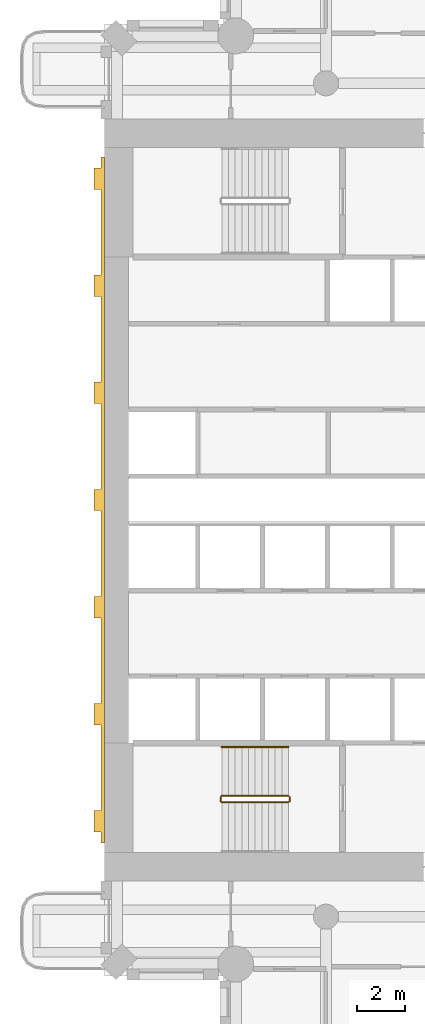
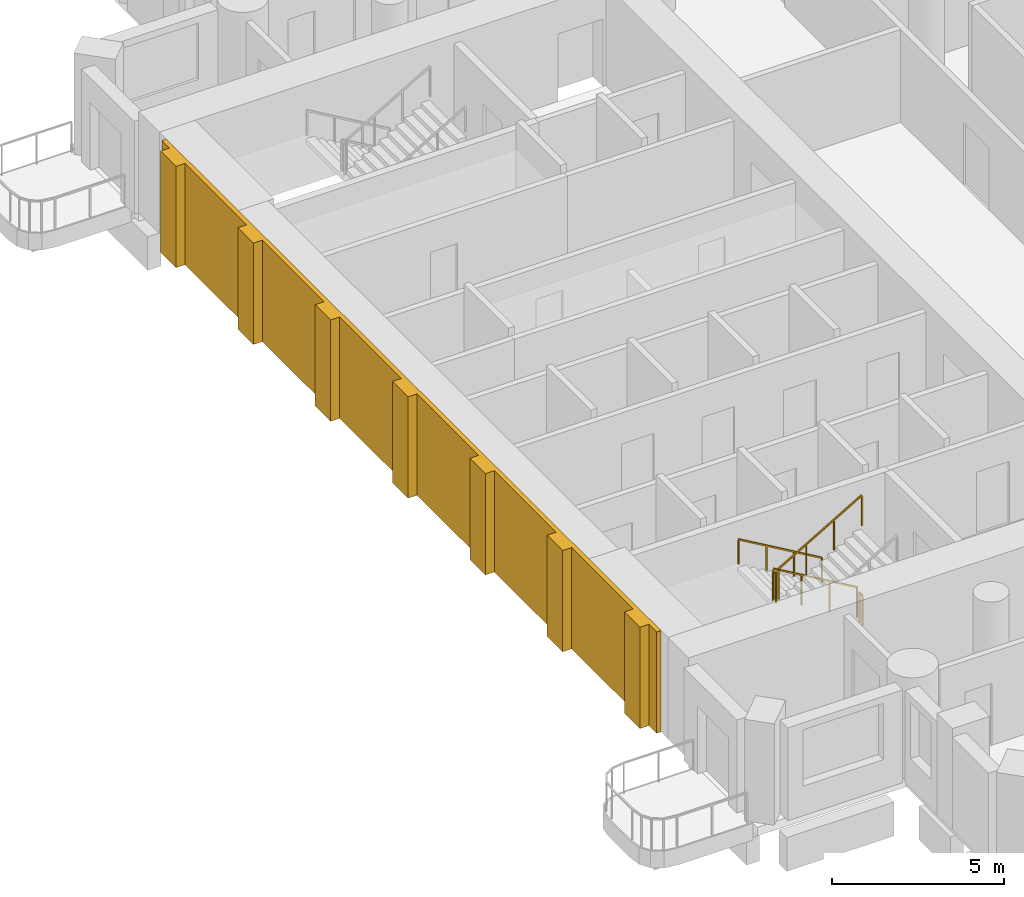
# One storey, part 13 of 19: 5 railings, 1 covering.
"""IFC4 building model written with IfcOpenShell, lengths in metres."""

from ifc_helpers import new_model, si_unit, direction, frame, origin, origin_2d, place, context, subcontext, project, spatial, polyline, rectangle, outline, extrude, material, layer, layer_set, type_object, element, save


model = new_model("IFC4")

# Units and contexts
model_context = context("Model", 3, precision=1e-05, world=origin(), true_north=direction((0.0, 1.0)))
body_context = subcontext(model_context, "Body", "Model", "MODEL_VIEW")
ifc_project = project(units=[si_unit("LENGTHUNIT", "METRE"), si_unit("AREAUNIT", "SQUARE_METRE"), si_unit("VOLUMEUNIT", "CUBIC_METRE"), si_unit("PLANEANGLEUNIT", "RADIAN"), si_unit("MASSUNIT", "GRAM", prefix="KILO")], contexts=[model_context])

# Site, building, storey
site_placement = place(None, origin())
site = spatial("IfcSite", under=ifc_project, at=site_placement, CompositionType="ELEMENT")
building_placement = place(site_placement, origin())
building = spatial("IfcBuilding", under=site, at=building_placement, Name="Cypress Arch Tower", CompositionType="ELEMENT")
storey_placement = place(building_placement, frame((0.0, 0.0, 141.89990234375)))
storey = spatial("IfcBuildingStorey", under=building, at=storey_placement, Name="L31", CompositionType="ELEMENT", Elevation=141.89990234375)

# Railings
ifc_material_1 = material(Name="Black powder-coated steel square bar 48 mm", Category="steel")
railing_type_1 = type_object("IfcRailingType", Name="Stair handrail HR1", PredefinedType="HANDRAIL", material=ifc_material_1)
railing_1_placement = place(storey_placement, frame((-22.27490234375, -10.375, 0.163818359375)))
element("IfcRailing", 1, at=railing_1_placement, inside=storey, type_object=railing_type_1, Name="L31 A stair handrail 1", PredefinedType="HANDRAIL", context=body_context, shape_type="SweptSolid", body=[
    extrude(rectangle(XDim=0.048095703125, YDim=0.048095703125, at=origin_2d()), frame((0.0, 0.0, 0.8759765625), z_axis=(-0.863393664356, 0.0, 0.504530851732), x_axis=(0.0, -1.0, 0.0)), (0.0, 0.0, 1.0), 3.2431640625),
    extrude(rectangle(XDim=0.0419921875, YDim=0.0419921875, at=origin_2d()), origin(), (0.0, 0.0, 1.0), 0.851806640625),
    extrude(rectangle(XDim=0.0419921875, YDim=0.0419921875, at=origin_2d()), frame((-0.933349609375, 0.0, 0.54541015625)), (0.0, 0.0, 1.0), 0.851806640625),
    extrude(rectangle(XDim=0.0419921875, YDim=0.0419921875, at=origin_2d()), frame((-1.86669921875, 0.0, 1.0908203125)), (0.0, 0.0, 1.0), 0.851806640625),
    extrude(rectangle(XDim=0.0419921875, YDim=0.0419921875, at=origin_2d()), frame((-2.800048828125, 0.0, 1.63623046875)), (0.0, 0.0, 1.0), 0.851806640625),
])
ifc_material_2 = material(Name="Black powder-coated steel balusters", Category="steel")
railing_type_2 = type_object("IfcRailingType", Name="Stair well guard G1", PredefinedType="GUARDRAIL", material=ifc_material_2)
railing_2_placement = place(storey_placement, frame((-22.27490234375, -12.425048828125, 0.163818359375)))
element("IfcRailing", 2, at=railing_2_placement, inside=storey, type_object=railing_type_2, Name="L31 A stair guard 1", PredefinedType="GUARDRAIL", context=body_context, shape_type="SweptSolid", body=[
    extrude(rectangle(XDim=0.048095703125, YDim=0.048095703125, at=origin_2d()), frame((0.0, 0.0, 1.076171875), z_axis=(-0.863393664356, 0.0, 0.504530851732), x_axis=(0.0, -1.0, 0.0)), (0.0, 0.0, 1.0), 3.2431640625),
    extrude(rectangle(XDim=0.0419921875, YDim=0.0419921875, at=origin_2d()), origin(), (0.0, 0.0, 1.0), 1.052001953125),
    extrude(rectangle(XDim=0.0419921875, YDim=0.0419921875, at=origin_2d()), frame((-0.933349609375, 0.0, 0.54541015625)), (0.0, 0.0, 1.0), 1.052001953125),
    extrude(rectangle(XDim=0.0419921875, YDim=0.0419921875, at=origin_2d()), frame((-1.86669921875, 0.0, 1.0908203125)), (0.0, 0.0, 1.0), 1.052001953125),
    extrude(rectangle(XDim=0.0419921875, YDim=0.0419921875, at=origin_2d()), frame((-2.800048828125, 0.0, 1.63623046875)), (0.0, 0.0, 1.0), 1.052001953125),
])
railing_3_placement = place(storey_placement, frame((-25.125, -12.47509765625, 1.800048828125)))
element("IfcRailing", 3, at=railing_3_placement, inside=storey, type_object=railing_type_2, Name="L31 A stair guard 2", PredefinedType="GUARDRAIL", context=body_context, shape_type="SweptSolid", body=[
    extrude(rectangle(XDim=0.048095703125, YDim=0.048095703125, at=origin_2d()), frame((0.0, 0.0, 1.076171875), z_axis=(0.0, -1.0, 0.0), x_axis=(1.0, 0.0, 0.0)), (0.0, 0.0, 1.0), 0.1748046875),
    extrude(rectangle(XDim=0.0419921875, YDim=0.0419921875, at=origin_2d()), origin(), (0.0, 0.0, 1.0), 1.052001953125),
    extrude(rectangle(XDim=0.0419921875, YDim=0.0419921875, at=origin_2d()), frame((0.0, -0.1748046875, 0.0)), (0.0, 0.0, 1.0), 1.052001953125),
])
railing_4_placement = place(storey_placement, frame((-25.074951171875, -12.699951171875, 1.963623046875)))
element("IfcRailing", 4, at=railing_4_placement, inside=storey, type_object=railing_type_2, Name="L31 A stair guard 3", PredefinedType="GUARDRAIL", context=body_context, shape_type="SweptSolid", body=[
    extrude(rectangle(XDim=0.048095703125, YDim=0.048095703125, at=origin_2d()), frame((0.0, 0.0, 1.076171875), z_axis=(0.863360870873, 0.0, 0.504586966384), x_axis=(0.0, 1.0, 0.0)), (0.0, 0.0, 1.0), 3.2431640625),
    extrude(rectangle(XDim=0.0419921875, YDim=0.0419921875, at=origin_2d()), origin(), (0.0, 0.0, 1.0), 1.052001953125),
    extrude(rectangle(XDim=0.0419921875, YDim=0.0419921875, at=origin_2d()), frame((0.933349609375, 0.0, 0.54541015625)), (0.0, 0.0, 1.0), 1.052001953125),
    extrude(rectangle(XDim=0.0419921875, YDim=0.0419921875, at=origin_2d()), frame((1.86669921875, 0.0, 1.091064453125)), (0.0, 0.0, 1.0), 1.052001953125),
    extrude(rectangle(XDim=0.0419921875, YDim=0.0419921875, at=origin_2d()), frame((2.800048828125, 0.0, 1.636474609375)), (0.0, 0.0, 1.0), 1.052001953125),
])
railing_5_placement = place(storey_placement, frame((-22.22509765625, -12.47509765625, 0.0)))
element("IfcRailing", 5, at=railing_5_placement, inside=storey, type_object=railing_type_2, Name="L31 A stair guard 4", PredefinedType="GUARDRAIL", context=body_context, shape_type="SweptSolid", body=[
    extrude(rectangle(XDim=0.048095703125, YDim=0.048095703125, at=origin_2d()), frame((0.0, 0.0, 1.076171875), z_axis=(0.0, -1.0, 0.0), x_axis=(1.0, 0.0, 0.0)), (0.0, 0.0, 1.0), 0.1748046875),
    extrude(rectangle(XDim=0.0419921875, YDim=0.0419921875, at=origin_2d()), origin(), (0.0, 0.0, 1.0), 1.052001953125),
    extrude(rectangle(XDim=0.0419921875, YDim=0.0419921875, at=origin_2d()), frame((0.0, -0.1748046875, 0.0)), (0.0, 0.0, 1.0), 1.052001953125),
])

# Covering
ifc_material_3 = material(Name="Brick (red buff blend)", Category="masonry")
ifc_layer = layer(ifc_material_3, 0.449951171875)
ifc_layer_set = layer_set([ifc_layer], Name="West face brick piers WP450")
covering_type = type_object("IfcCoveringType", Name="West face brick piers WP450", PredefinedType="CLADDING", material=ifc_layer_set)
covering_placement = place(storey_placement, origin())
element("IfcCovering", 6, at=covering_placement, inside=storey, type_object=covering_type, Name="West face brick piers L31", PredefinedType="CLADDING", context=body_context, shape_type="SweptSolid", body=[
    extrude(outline(polyline([(-30.14990234375, -13.050048828125), (-30.14990234375, -9.449951171875), (-30.449951171875, -9.449951171875), (-30.449951171875, -8.550048828125), (-30.14990234375, -8.550048828125), (-30.14990234375, -4.949951171875), (-30.449951171875, -4.949951171875), (-30.449951171875, -4.050048828125), (-30.14990234375, -4.050048828125), (-30.14990234375, -0.449951171875), (-30.449951171875, -0.449951171875), (-30.449951171875, 0.449951171875), (-30.14990234375, 0.449951171875), (-30.14990234375, 4.050048828125), (-30.449951171875, 4.050048828125), (-30.449951171875, 4.949951171875), (-30.14990234375, 4.949951171875), (-30.14990234375, 8.550048828125), (-30.449951171875, 8.550048828125), (-30.449951171875, 9.449951171875), (-30.14990234375, 9.449951171875), (-30.14990234375, 13.050048828125), (-30.449951171875, 13.050048828125), (-30.449951171875, 13.949951171875), (-30.14990234375, 13.949951171875), (-30.14990234375, 14.39990234375), (-30.0, 14.39990234375), (-30.0, -14.39990234375), (-30.14990234375, -14.39990234375), (-30.14990234375, -13.949951171875), (-30.449951171875, -13.949951171875), (-30.449951171875, -13.050048828125), (-30.14990234375, -13.050048828125)])), origin(), (0.0, 0.0, 1.0), 3.60009765625),
])

save(model, "model.ifc")
